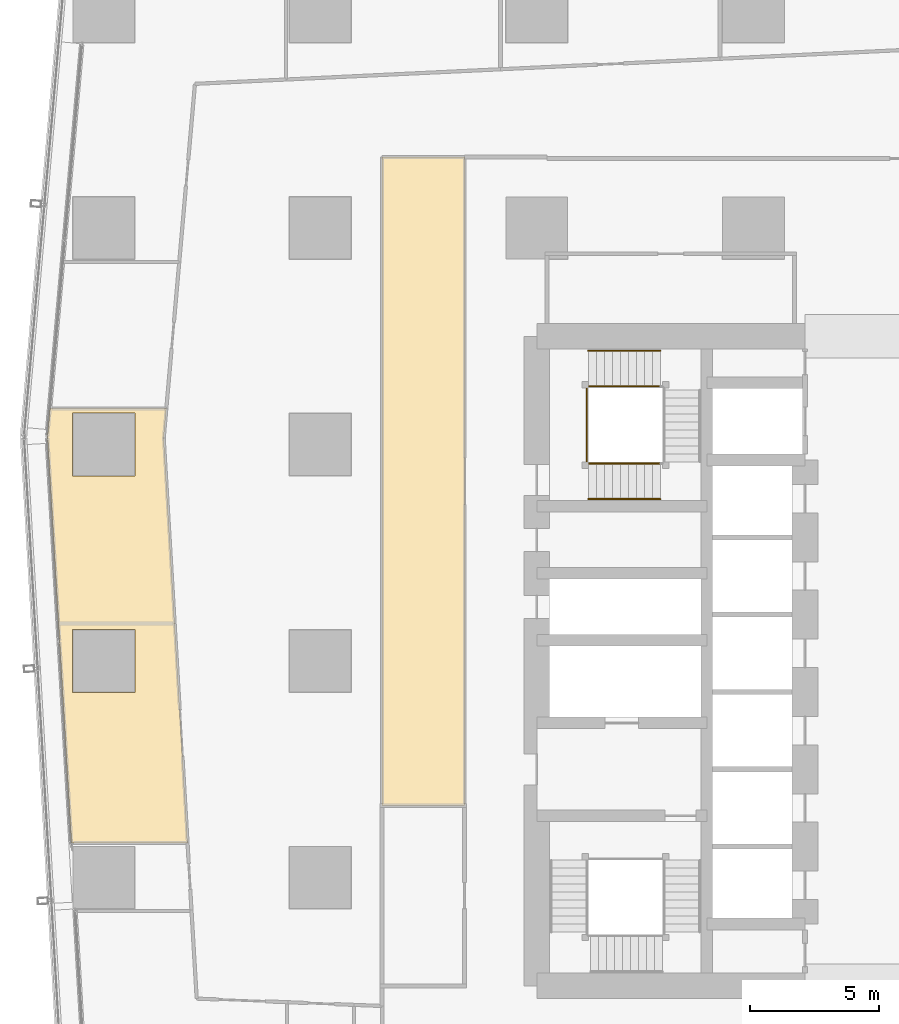
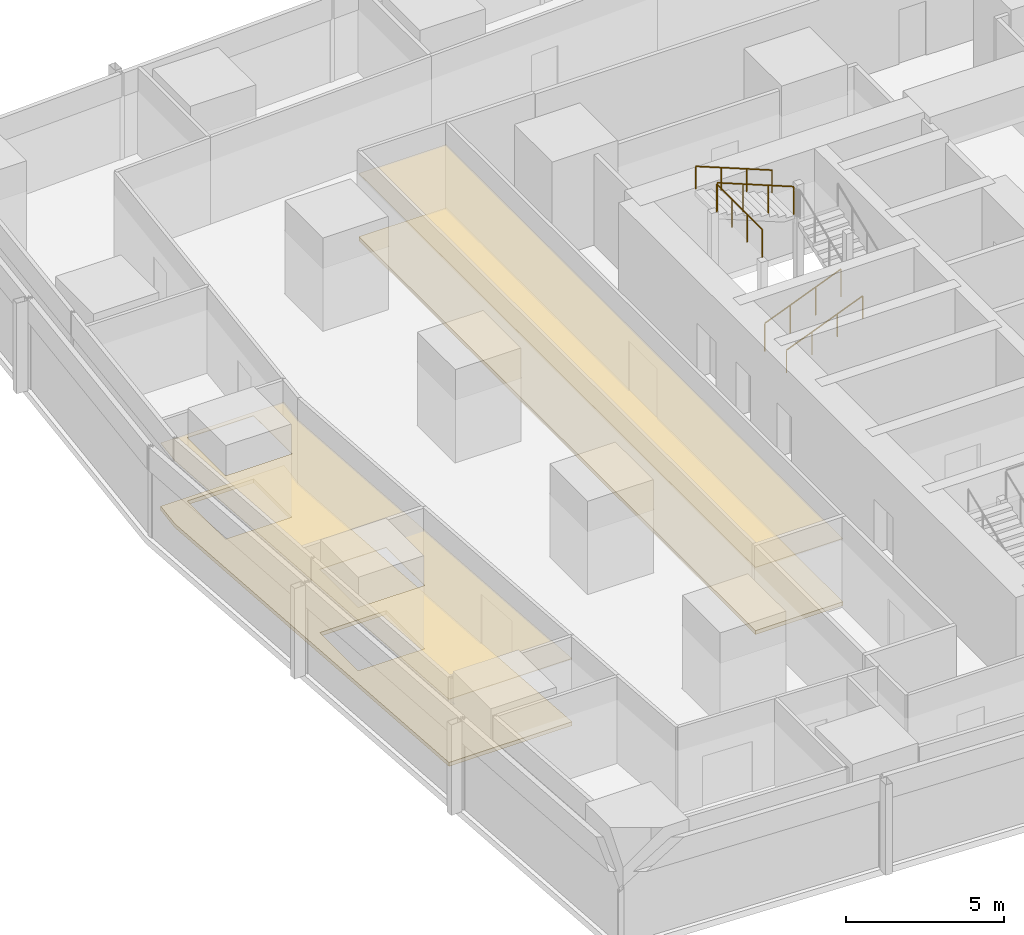
# One storey, part 30 of 37: 5 railings, 4 coverings.
"""IFC4 building model written with IfcOpenShell, lengths in metres."""

from ifc_helpers import new_model, si_unit, direction, frame, origin, origin_2d, place, context, subcontext, project, spatial, polyline, circle, outline, extrude, material, layer, layer_set, type_object, element, save


model = new_model("IFC4")

# Units and contexts
model_context = context("Model", 3, precision=1e-05, world=origin(), true_north=direction((0.0, 1.0)))
body_context = subcontext(model_context, "Body", "Model", "MODEL_VIEW")
ifc_project = project(units=[si_unit("LENGTHUNIT", "METRE"), si_unit("AREAUNIT", "SQUARE_METRE"), si_unit("VOLUMEUNIT", "CUBIC_METRE"), si_unit("PLANEANGLEUNIT", "RADIAN"), si_unit("MASSUNIT", "GRAM", prefix="KILO")], contexts=[model_context])

# Site, building, storey
site_placement = place(None, origin())
site = spatial("IfcSite", under=ifc_project, at=site_placement, CompositionType="ELEMENT")
building_placement = place(site_placement, origin())
building = spatial("IfcBuilding", under=site, at=building_placement, Name="Rekha Terrace Tower", CompositionType="ELEMENT")
storey_placement = place(building_placement, frame((0.0, 0.0, 232.699951171875)))
storey = spatial("IfcBuildingStorey", under=building, at=storey_placement, Name="L59", CompositionType="ELEMENT", Elevation=232.699951171875)

# Coverings
ifc_material_1 = material(Name="Mineral fibre tile in exposed grid", Category="finish")
ifc_layer_1 = layer(ifc_material_1, 0.02001953125)
ifc_layer_set_1 = layer_set([ifc_layer_1], Name="Mineral fibre tile in exposed grid")
covering_type_1 = type_object("IfcCoveringType", Name="CL1 600x1200 office grid ceiling", PredefinedType="CEILING", material=ifc_layer_set_1)
covering_1_placement = place(storey_placement, frame((0.0, 0.0, 2.580078125)))
element("IfcCovering", 1, at=covering_1_placement, inside=storey, type_object=covering_type_1, Name="Ceiling L59-10", PredefinedType="CEILING", context=body_context, shape_type="SweptSolid", body=[
    extrude(outline(polyline([(10.825927734375, 43.39111328125), (6.30810546875, 43.39111328125), (6.212890625, 42.31494140625), (6.639892578125, 35.06005859375), (7.14111328125, 26.547119140625), (11.64892578125, 26.547119140625), (11.14794921875, 35.06005859375), (10.72509765625, 42.2490234375), (10.825927734375, 43.39111328125)]), holes=[polyline([(9.614990234375, 34.81494140625), (9.614990234375, 32.385009765625), (7.18505859375, 32.385009765625), (7.18505859375, 34.81494140625), (9.614990234375, 34.81494140625)]), polyline([(9.614990234375, 40.784912109375), (7.18505859375, 40.784912109375), (7.18505859375, 43.215087890625), (9.614990234375, 43.215087890625), (9.614990234375, 40.784912109375)])]), origin(), (0.0, 0.0, 1.0), 0.02001953125),
])
covering_2_placement = place(storey_placement, frame((0.0, 0.0, 2.580078125)))
element("IfcCovering", 2, at=covering_2_placement, inside=storey, type_object=covering_type_1, Name="Ceiling L59-15", PredefinedType="CEILING", context=body_context, shape_type="SweptSolid", body=[
    extrude(outline(polyline([(19.199951171875, 53.14990234375), (19.199951171875, 28.0), (22.39990234375, 28.0), (22.39990234375, 53.14990234375), (19.199951171875, 53.14990234375)])), origin(), (0.0, 0.0, 1.0), 0.02001953125),
])

# Railings
ifc_material_2 = material(Name="Stainless steel balustrade", Category="steel")
railing_type_1 = type_object("IfcRailingType", Name="GR1 1100 stair guard", PredefinedType="GUARDRAIL", material=ifc_material_2)
railing_1_placement = place(storey_placement, frame((27.199951171875, 41.264892578125, 0.125)))
element("IfcRailing", 3, at=railing_1_placement, inside=storey, type_object=railing_type_1, Name="Guard ST4 L59 flight 1", PredefinedType="GUARDRAIL", context=body_context, shape_type="SweptSolid", body=[
    extrude(circle(Radius=0.02392578125, at=origin_2d()), frame((0.0, 0.0, 1.076171875), z_axis=(0.927443287984, 0.0, 0.373963831907), x_axis=(0.0, 1.0, 0.0)), (0.0, 0.0, 1.0), 3.00830078125),
    extrude(circle(Radius=0.02099609375, at=origin_2d()), origin(), (0.0, 0.0, 1.0), 1.052001953125),
    extrude(circle(Radius=0.02099609375, at=origin_2d()), frame((0.929931640625, 0.0, 0.375)), (0.0, 0.0, 1.0), 1.052001953125),
    extrude(circle(Radius=0.02099609375, at=origin_2d()), frame((1.860107421875, 0.0, 0.75)), (0.0, 0.0, 1.0), 1.052001953125),
    extrude(circle(Radius=0.02099609375, at=origin_2d()), frame((2.7900390625, 0.0, 1.125)), (0.0, 0.0, 1.0), 1.052001953125),
])
railing_2_placement = place(storey_placement, frame((29.989990234375, 44.260009765625, 2.625)))
element("IfcRailing", 4, at=railing_2_placement, inside=storey, type_object=railing_type_1, Name="Guard ST4 L59 flight 3", PredefinedType="GUARDRAIL", context=body_context, shape_type="SweptSolid", body=[
    extrude(circle(Radius=0.02392578125, at=origin_2d()), frame((0.0, 0.0, 1.076171875), z_axis=(-0.927443287984, 0.0, 0.373963831907), x_axis=(0.0, -1.0, 0.0)), (0.0, 0.0, 1.0), 3.00830078125),
    extrude(circle(Radius=0.02099609375, at=origin_2d()), origin(), (0.0, 0.0, 1.0), 1.052001953125),
    extrude(circle(Radius=0.02099609375, at=origin_2d()), frame((-0.929931640625, 0.0, 0.375)), (0.0, 0.0, 1.0), 1.052001953125),
    extrude(circle(Radius=0.02099609375, at=origin_2d()), frame((-1.860107421875, 0.0, 0.75)), (0.0, 0.0, 1.0), 1.052001953125),
    extrude(circle(Radius=0.02099609375, at=origin_2d()), frame((-2.7900390625, 0.0, 1.125)), (0.0, 0.0, 1.0), 1.052001953125),
])
railing_3_placement = place(storey_placement, frame((27.139892578125, 41.324951171875, 3.75)))
element("IfcRailing", 5, at=railing_3_placement, inside=storey, type_object=railing_type_1, Name="Guard ST4 L59 landing 4", PredefinedType="GUARDRAIL", context=body_context, shape_type="SweptSolid", body=[
    extrude(circle(Radius=0.02392578125, at=origin_2d()), frame((0.0, 0.0, 1.076171875), z_axis=(0.0, 1.0, 0.0), x_axis=(-1.0, 0.0, 0.0)), (0.0, 0.0, 1.0), 2.875),
    extrude(circle(Radius=0.02099609375, at=origin_2d()), origin(), (0.0, 0.0, 1.0), 1.052001953125),
    extrude(circle(Radius=0.02099609375, at=origin_2d()), frame((0.0, 0.958251953125, 0.0)), (0.0, 0.0, 1.0), 1.052001953125),
    extrude(circle(Radius=0.02099609375, at=origin_2d()), frame((0.0, 1.916748046875, 0.0)), (0.0, 0.0, 1.0), 1.052001953125),
    extrude(circle(Radius=0.02099609375, at=origin_2d()), frame((0.0, 2.875, 0.0)), (0.0, 0.0, 1.0), 1.052001953125),
])
ifc_material_3 = material(Name="Stainless steel tube", Category="steel")
railing_type_2 = type_object("IfcRailingType", Name="HR1 900 stair handrail", PredefinedType="HANDRAIL", material=ifc_material_3)
railing_4_placement = place(storey_placement, frame((27.199951171875, 39.885009765625, 0.125)))
element("IfcRailing", 6, at=railing_4_placement, inside=storey, type_object=railing_type_2, Name="Handrail ST4 L59 flight 1", PredefinedType="HANDRAIL", context=body_context, shape_type="SweptSolid", body=[
    extrude(circle(Radius=0.02392578125, at=origin_2d()), frame((0.0, 0.0, 0.8759765625), z_axis=(0.927443287984, 0.0, 0.373963831907), x_axis=(0.0, 1.0, 0.0)), (0.0, 0.0, 1.0), 3.00830078125),
    extrude(circle(Radius=0.02099609375, at=origin_2d()), origin(), (0.0, 0.0, 1.0), 0.851806640625),
    extrude(circle(Radius=0.02099609375, at=origin_2d()), frame((0.929931640625, 0.0, 0.375)), (0.0, 0.0, 1.0), 0.851806640625),
    extrude(circle(Radius=0.02099609375, at=origin_2d()), frame((1.860107421875, 0.0, 0.75)), (0.0, 0.0, 1.0), 0.851806640625),
    extrude(circle(Radius=0.02099609375, at=origin_2d()), frame((2.7900390625, 0.0, 1.125)), (0.0, 0.0, 1.0), 0.851806640625),
])
railing_5_placement = place(storey_placement, frame((29.989990234375, 45.639892578125, 2.625)))
element("IfcRailing", 7, at=railing_5_placement, inside=storey, type_object=railing_type_2, Name="Handrail ST4 L59 flight 3", PredefinedType="HANDRAIL", context=body_context, shape_type="SweptSolid", body=[
    extrude(circle(Radius=0.02392578125, at=origin_2d()), frame((0.0, 0.0, 0.8759765625), z_axis=(-0.927443287984, 0.0, 0.373963831907), x_axis=(0.0, -1.0, 0.0)), (0.0, 0.0, 1.0), 3.00830078125),
    extrude(circle(Radius=0.02099609375, at=origin_2d()), origin(), (0.0, 0.0, 1.0), 0.851806640625),
    extrude(circle(Radius=0.02099609375, at=origin_2d()), frame((-0.929931640625, 0.0, 0.375)), (0.0, 0.0, 1.0), 0.851806640625),
    extrude(circle(Radius=0.02099609375, at=origin_2d()), frame((-1.860107421875, 0.0, 0.75)), (0.0, 0.0, 1.0), 0.851806640625),
    extrude(circle(Radius=0.02099609375, at=origin_2d()), frame((-2.7900390625, 0.0, 1.125)), (0.0, 0.0, 1.0), 0.851806640625),
])

# Coverings
ifc_material_4 = material(Name="Calcium sulphate panels on steel pedestals", Category="steel")
ifc_layer_2 = layer(ifc_material_4, 0.14990234375)
ifc_layer_set_2 = layer_set([ifc_layer_2], Name="Calcium sulphate panels on steel pedestals")
covering_type_2 = type_object("IfcCoveringType", Name="RF1 150 raised access floor", PredefinedType="FLOORING", material=ifc_layer_set_2)
covering_3_placement = place(storey_placement, origin())
element("IfcCovering", 8, at=covering_3_placement, inside=storey, type_object=covering_type_2, Name="Raised floor L59-10", PredefinedType="FLOORING", context=body_context, shape_type="SweptSolid", body=[
    extrude(outline(polyline([(10.825927734375, 43.39111328125), (6.30810546875, 43.39111328125), (6.212890625, 42.31494140625), (6.639892578125, 35.06005859375), (7.14111328125, 26.547119140625), (11.64892578125, 26.547119140625), (11.14794921875, 35.06005859375), (10.72509765625, 42.2490234375), (10.825927734375, 43.39111328125)]), holes=[polyline([(9.614990234375, 34.81494140625), (9.614990234375, 32.385009765625), (7.18505859375, 32.385009765625), (7.18505859375, 34.81494140625), (9.614990234375, 34.81494140625)]), polyline([(9.614990234375, 40.784912109375), (7.18505859375, 40.784912109375), (7.18505859375, 43.215087890625), (9.614990234375, 43.215087890625), (9.614990234375, 40.784912109375)])]), origin(), (0.0, 0.0, 1.0), 0.150146484375),
])
covering_4_placement = place(storey_placement, origin())
element("IfcCovering", 9, at=covering_4_placement, inside=storey, type_object=covering_type_2, Name="Raised floor L59-15", PredefinedType="FLOORING", context=body_context, shape_type="SweptSolid", body=[
    extrude(outline(polyline([(19.199951171875, 53.14990234375), (19.199951171875, 28.0), (22.39990234375, 28.0), (22.39990234375, 53.14990234375), (19.199951171875, 53.14990234375)])), origin(), (0.0, 0.0, 1.0), 0.150146484375),
])

save(model, "model.ifc")
